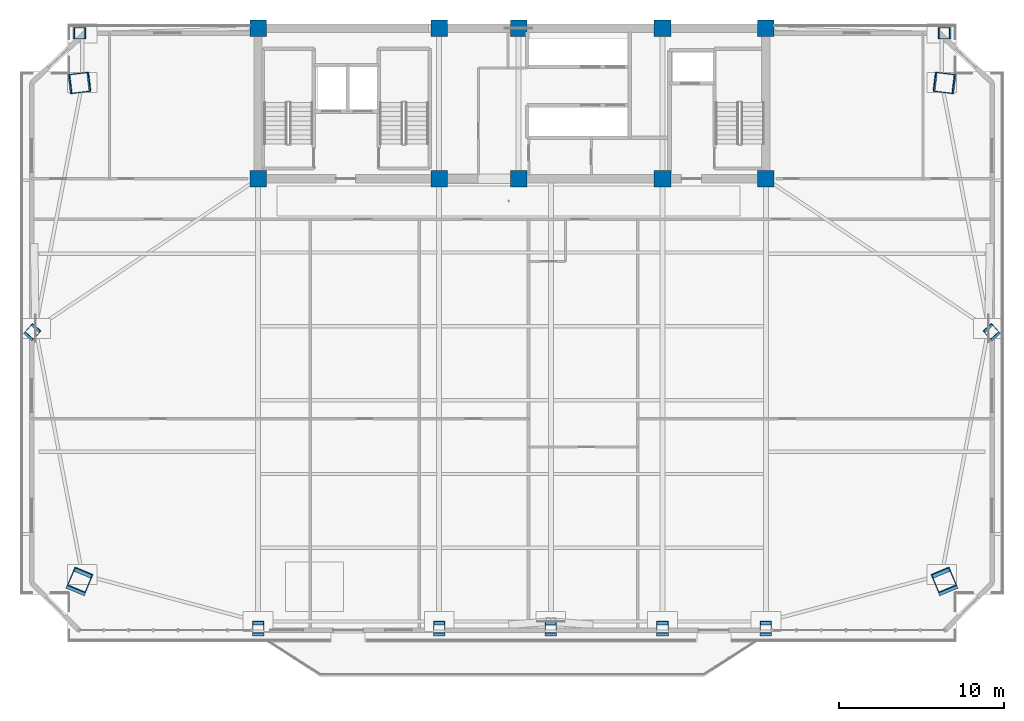
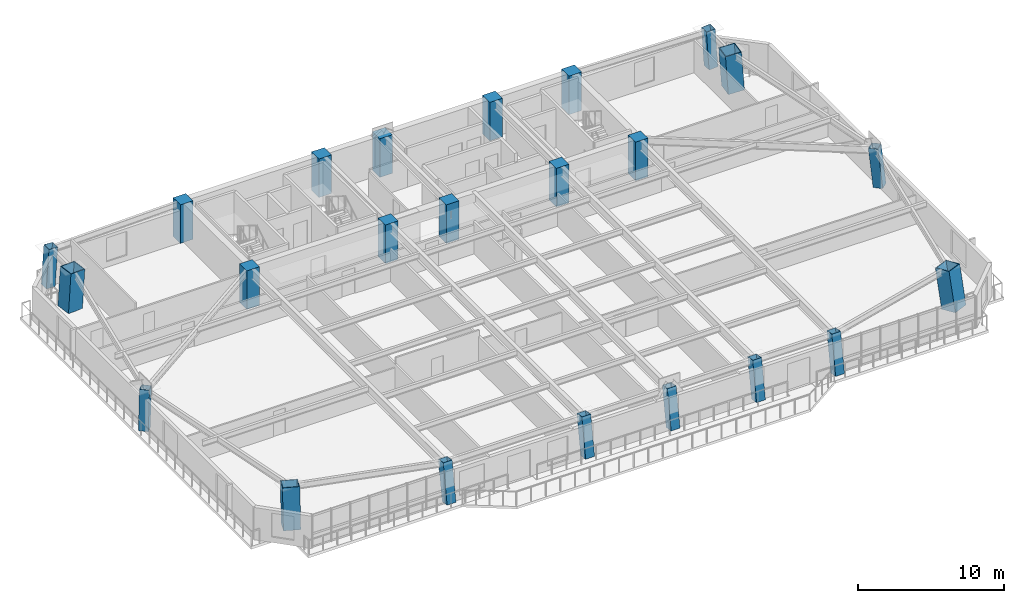
# One storey, part 1 of 15: 23 columns.
"""IFC4 building model written with IfcOpenShell, lengths in metres."""

from ifc_helpers import new_model, si_unit, direction, frame, origin, origin_2d, place, context, subcontext, project, spatial, rectangle, hollow_rectangle, extrude, source, transform, mapped, material, material_profile, profile_set, type_object, element, save


model = new_model("IFC4")

# Units and contexts
model_context = context("Model", 3, precision=1e-05, world=origin(), true_north=direction((0.0, 1.0)))
body_context = subcontext(model_context, "Body", "Model", "MODEL_VIEW")
ifc_project = project(units=[si_unit("LENGTHUNIT", "METRE"), si_unit("AREAUNIT", "SQUARE_METRE"), si_unit("VOLUMEUNIT", "CUBIC_METRE"), si_unit("PLANEANGLEUNIT", "RADIAN"), si_unit("MASSUNIT", "GRAM", prefix="KILO")], contexts=[model_context])

# Site, building, storey
site_placement = place(None, origin())
site = spatial("IfcSite", under=ifc_project, at=site_placement, CompositionType="ELEMENT")
building_placement = place(site_placement, origin())
building = spatial("IfcBuilding", under=site, at=building_placement, Name="Giltprow Tower", CompositionType="ELEMENT")
storey_placement = place(building_placement, frame((0.0, 0.0, 187.699951171875)))
storey = spatial("IfcBuildingStorey", under=building, at=storey_placement, Name="L47", CompositionType="ELEMENT", Elevation=187.699951171875)

# Columns
ifc_material_1 = material(Name="Concrete C50", Category="concrete")
ifc_material_profile_1 = material_profile(ifc_material_1, rectangle(XDim=1.0, YDim=1.0, at=origin_2d()), Name="RC 1000x1000")
ifc_profile_set_1 = profile_set([ifc_material_profile_1], Name="Concrete C50")
column_type_1 = type_object("IfcColumnType", Name="PIL-RC-1000-C50", PredefinedType="PILASTER", material=ifc_profile_set_1)
shared_shape_1 = source(origin(), body_context, "Body", "SweptSolid", [
    extrude(rectangle(XDim=1.0, YDim=1.0, at=origin_2d()), origin(), (0.0, 0.0, 1.0), 3.219970703125),
])
for number, where, z_axis, x_axis, name in (
    (1, (19.85009765625, 37.449951171875, 0.0), (0.0, 0.0, 1.0), (1.0, 0.0, 0.0), "L47 Core Boundary Pilaster 1-1"),
    (2, (19.85009765625, 46.550048828125, 0.0), (0.0, 0.0, 1.0), (1.0, 0.0, 0.0), "L47 Core Boundary Pilaster 1-2"),
    (3, (30.800048828125, 37.449951171875, 0.0), (0.0, 0.0, 1.0), (1.0, 0.0, 0.0), "L47 Core Boundary Pilaster 2-1"),
    (4, (30.800048828125, 46.550048828125, 0.0), (0.0, 0.0, 1.0), (1.0, 0.0, 0.0), "L47 Core Boundary Pilaster 2-2"),
    (5, (35.60009765625, 37.449951171875, 0.0), (0.0, 0.0, 1.0), (1.0, 0.0, 0.0), "L47 Core Boundary Pilaster 3-1"),
    (6, (35.60009765625, 46.550048828125, 0.0), (0.0, 0.0, 1.0), (1.0, 0.0, 0.0), "L47 Core Boundary Pilaster 3-2"),
    (7, (44.300048828125, 37.449951171875, 0.0), (0.0, 0.0, 1.0), (1.0, 0.0, 0.0), "L47 Core Boundary Pilaster 4-1"),
    (8, (44.300048828125, 46.550048828125, 0.0), (0.0, 0.0, 1.0), (1.0, 0.0, 0.0), "L47 Core Boundary Pilaster 4-2"),
    (9, (50.550048828125, 37.449951171875, 0.0), (0.0, 0.0, 1.0), (1.0, 0.0, 0.0), "L47 Core Boundary Pilaster 5-1"),
    (10, (50.550048828125, 46.550048828125, 0.0), (0.0, 0.0, 1.0), (1.0, 0.0, 0.0), "L47 Core Boundary Pilaster 5-2"),
):
    element("IfcColumn", number, at=place(storey_placement, frame(where, z_axis=z_axis, x_axis=x_axis)), inside=storey, type_object=column_type_1, Name=name, PredefinedType="PILASTER", context=body_context, shape_type="MappedRepresentation", body=[
        mapped(shared_shape_1, transform((0.0, 0.0, 0.0), x_axis=(1.0, 0.0, 0.0), y_axis=(0.0, 1.0, 0.0), z_axis=(0.0, 0.0, 1.0), scale=1.0)),
    ])
ifc_material_2 = material(Name="Structural steel Q420GJC", Category="steel")
ifc_material_profile_2 = material_profile(ifc_material_2, hollow_rectangle(XDim=1.199951171875, YDim=1.199951171875, WallThickness=0.054931640625, at=origin_2d()), Name="BOX 1200x1200x55")
ifc_profile_set_2 = profile_set([ifc_material_profile_2], Name="Structural steel Q420GJC")
column_type_2 = type_object("IfcColumnType", Name="COL-BOX-1200x1200x55", PredefinedType="COLUMN", material=ifc_profile_set_2)
shared_shape_2 = source(origin(), body_context, "Body", "SweptSolid", [
    extrude(hollow_rectangle(XDim=1.199951171875, YDim=1.199951171875, WallThickness=0.054931640625, at=origin_2d()), origin(), (0.0, 0.0, 1.0), 3.265380859375),
])
column_1_placement = place(storey_placement, frame((9.014892578125, 13.014892578125, 0.0), z_axis=(0.064076942579, 0.153126695918, 0.986126949448), x_axis=(-0.922489486146, 0.386022211732, 0.0)))
element("IfcColumn", 11, at=column_1_placement, inside=storey, type_object=column_type_2, Name="L47 Mega-Column MC_SW", PredefinedType="COLUMN", context=body_context, shape_type="MappedRepresentation", body=[
    mapped(shared_shape_2, transform((0.0, 0.0, 0.0), x_axis=(1.0, 0.0, 0.0), y_axis=(0.0, 1.0, 0.0), z_axis=(0.0, 0.0, 1.0), scale=1.0)),
])
shared_shape_3 = source(origin(), body_context, "Body", "SweptSolid", [
    extrude(hollow_rectangle(XDim=1.199951171875, YDim=1.199951171875, WallThickness=0.054931640625, at=origin_2d()), origin(), (0.0, 0.0, 1.0), 3.26513671875),
])
column_2_placement = place(storey_placement, frame((61.385986328125, 13.014892578125, 0.0), z_axis=(-0.06400248014, 0.15312742912, 0.986131671222), x_axis=(-0.922649834668, -0.385638798084, 0.0)))
element("IfcColumn", 12, at=column_2_placement, inside=storey, type_object=column_type_2, Name="L47 Mega-Column MC_SE", PredefinedType="COLUMN", context=body_context, shape_type="MappedRepresentation", body=[
    mapped(shared_shape_3, transform((0.0, 0.0, 0.0), x_axis=(1.0, 0.0, 0.0), y_axis=(0.0, 1.0, 0.0), z_axis=(0.0, 0.0, 1.0), scale=1.0)),
])
shared_shape_4 = source(origin(), body_context, "Body", "SweptSolid", [
    extrude(hollow_rectangle(XDim=1.199951171875, YDim=1.199951171875, WallThickness=0.054931640625, at=origin_2d()), origin(), (0.0, 0.0, 1.0), 3.226806640625),
])
for number, where, z_axis, x_axis, name in (
    (13, (9.014892578125, 43.239013671875, 0.0), (0.064839563083, 0.008019829273, 0.997863474328), (-0.122751882683, 0.992437391122, 0.0), "L47 Mega-Column MC_NW"),
    (14, (61.385986328125, 43.239013671875, 0.0), (-0.064764221844, 0.008019868593, 0.997868366708), (-0.122893119903, -0.992419911671, 0.0), "L47 Mega-Column MC_NE"),
):
    element("IfcColumn", number, at=place(storey_placement, frame(where, z_axis=z_axis, x_axis=x_axis)), inside=storey, type_object=column_type_2, Name=name, PredefinedType="COLUMN", context=body_context, shape_type="MappedRepresentation", body=[
        mapped(shared_shape_4, transform((0.0, 0.0, 0.0), x_axis=(1.0, 0.0, 0.0), y_axis=(0.0, 1.0, 0.0), z_axis=(0.0, 0.0, 1.0), scale=1.0)),
    ])
ifc_material_profile_3 = material_profile(ifc_material_2, hollow_rectangle(XDim=0.699951171875, YDim=0.699951171875, WallThickness=0.031982421875, at=origin_2d()), Name="BOX 700x700x32")
ifc_profile_set_3 = profile_set([ifc_material_profile_3], Name="Structural steel Q420GJC")
column_type_3 = type_object("IfcColumnType", Name="COL-BOX-700x700x32", PredefinedType="COLUMN", material=ifc_profile_set_3)
shared_shape_5 = source(origin(), body_context, "Body", "SweptSolid", [
    extrude(hollow_rectangle(XDim=0.699951171875, YDim=0.699951171875, WallThickness=0.031982421875, at=origin_2d()), origin(), (0.0, 0.0, 1.0), 3.2626953125),
])
for number, where, z_axis, x_axis, name in (
    (15, (19.85009765625, 10.154052734375, 0.0), (0.0, 0.161182473027, 0.986924622445), (-1.0, 0.0, 0.0), "L47 Perimeter Column S1"),
    (16, (30.800048828125, 10.154052734375, 0.0), (0.0, 0.161182473027, 0.986924622445), (-1.0, 0.0, 0.0), "L47 Perimeter Column S2"),
    (17, (37.550048828125, 10.154052734375, 0.0), (0.0, 0.161182473027, 0.986924622445), (-1.0, 0.0, 0.0), "L47 Perimeter Column S_MID"),
    (18, (44.300048828125, 10.154052734375, 0.0), (0.0, 0.161182473027, 0.986924622445), (-1.0, 0.0, 0.0), "L47 Perimeter Column S3"),
    (19, (50.550048828125, 10.154052734375, 0.0), (0.0, 0.161182473027, 0.986924622445), (-1.0, 0.0, 0.0), "L47 Perimeter Column S4"),
):
    element("IfcColumn", number, at=place(storey_placement, frame(where, z_axis=z_axis, x_axis=x_axis)), inside=storey, type_object=column_type_3, Name=name, PredefinedType="COLUMN", context=body_context, shape_type="MappedRepresentation", body=[
        mapped(shared_shape_5, transform((0.0, 0.0, 0.0), x_axis=(1.0, 0.0, 0.0), y_axis=(0.0, 1.0, 0.0), z_axis=(0.0, 0.0, 1.0), scale=1.0)),
    ])
shared_shape_6 = source(origin(), body_context, "Body", "SweptSolid", [
    extrude(hollow_rectangle(XDim=0.699951171875, YDim=0.699951171875, WallThickness=0.031982421875, at=origin_2d()), origin(), (0.0, 0.0, 1.0), 3.2392578125),
])
for number, where, z_axis, x_axis, name in (
    (20, (6.154052734375, 28.126953125, 0.0), (0.072506249941, 0.081173836992, 0.994059179278), (-0.745802491979, 0.666167128398, 0.0), "L47 Perimeter Column W_MID"),
    (21, (64.2470703125, 28.126953125, 0.0), (-0.072581223414, 0.081173393164, 0.994053744146), (-0.745458506367, -0.666552034941, 0.0), "L47 Perimeter Column E_MID"),
):
    element("IfcColumn", number, at=place(storey_placement, frame(where, z_axis=z_axis, x_axis=x_axis)), inside=storey, type_object=column_type_3, Name=name, PredefinedType="COLUMN", context=body_context, shape_type="MappedRepresentation", body=[
        mapped(shared_shape_6, transform((0.0, 0.0, 0.0), x_axis=(1.0, 0.0, 0.0), y_axis=(0.0, 1.0, 0.0), z_axis=(0.0, 0.0, 1.0), scale=1.0)),
    ])
shared_shape_7 = source(origin(), body_context, "Body", "SweptSolid", [
    extrude(hollow_rectangle(XDim=0.699951171875, YDim=0.699951171875, WallThickness=0.031982421875, at=origin_2d()), origin(), (0.0, 0.0, 1.0), 3.226806640625),
])
for number, where, z_axis, x_axis, name in (
    (22, (9.014892578125, 46.25, 0.0), (0.064841648348, 0.0, 0.997895565999), (0.0, 1.0, 0.0), "L47 Perimeter Column N_W"),
    (23, (61.385986328125, 46.25, 0.0), (-0.064766304707, 0.0, 0.997900458851), (0.0, -1.0, 0.0), "L47 Perimeter Column N_E"),
):
    element("IfcColumn", number, at=place(storey_placement, frame(where, z_axis=z_axis, x_axis=x_axis)), inside=storey, type_object=column_type_3, Name=name, PredefinedType="COLUMN", context=body_context, shape_type="MappedRepresentation", body=[
        mapped(shared_shape_7, transform((0.0, 0.0, 0.0), x_axis=(1.0, 0.0, 0.0), y_axis=(0.0, 1.0, 0.0), z_axis=(0.0, 0.0, 1.0), scale=1.0)),
    ])

save(model, "model.ifc")
